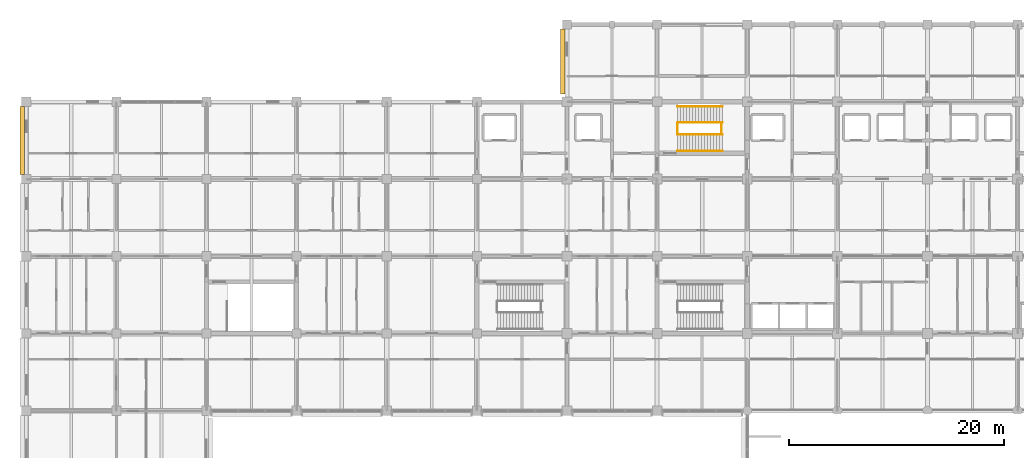
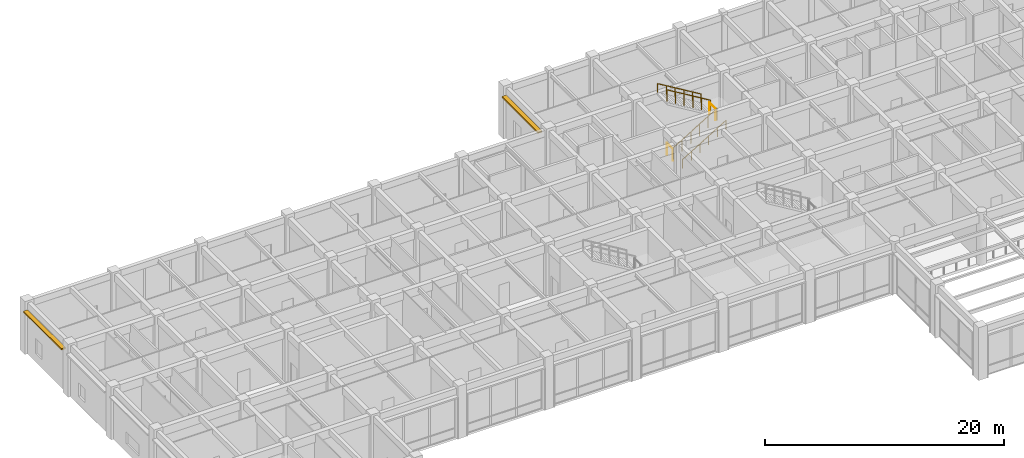
# One storey, part 55 of 58: 6 railings, 2 shading devices.
"""IFC4 building model written with IfcOpenShell, lengths in metres."""

from ifc_helpers import new_model, si_unit, direction, frame, origin, origin_2d, place, context, subcontext, project, spatial, rectangle, circle, extrude, material, type_object, element, save


model = new_model("IFC4")

# Units and contexts
model_context = context("Model", 3, precision=1e-05, world=origin(), true_north=direction((0.0, 1.0)))
body_context = subcontext(model_context, "Body", "Model", "MODEL_VIEW")
ifc_project = project(units=[si_unit("LENGTHUNIT", "METRE"), si_unit("AREAUNIT", "SQUARE_METRE"), si_unit("VOLUMEUNIT", "CUBIC_METRE"), si_unit("PLANEANGLEUNIT", "RADIAN"), si_unit("MASSUNIT", "GRAM", prefix="KILO")], contexts=[model_context])

# Site, building, storey
site_placement = place(None, origin())
site = spatial("IfcSite", under=ifc_project, at=site_placement, CompositionType="ELEMENT")
building_placement = place(site_placement, origin())
building = spatial("IfcBuilding", under=site, at=building_placement, Name="Chengyuan Square Courthouse", CompositionType="ELEMENT")
storey_placement = place(building_placement, frame((0.0, 0.0, 16.199951171875)))
storey = spatial("IfcBuildingStorey", under=building, at=storey_placement, Name="L04", CompositionType="ELEMENT", Elevation=16.199951171875)

# Railings
ifc_material_1 = material(Name="Tempered Glass and Timber Top-Rail Balustrade", Category="wood")
railing_type_1 = type_object("IfcRailingType", Name="RL-02", PredefinedType="BALUSTRADE", material=ifc_material_1)
for number, where, name in (
    (1, (60.68994140625, 105.0, 0.0), "Stair Floor Slot Guard ST-1 L04"),
    (2, (64.7900390625, 105.0, 2.699951171875), "Stair Landing Guard ST-1-L04"),
):
    element("IfcRailing", number, at=place(storey_placement, frame(where)), inside=storey, type_object=railing_type_1, Name=name, PredefinedType="BALUSTRADE", context=body_context, shape_type="SweptSolid", body=[
        extrude(circle(Radius=0.02392578125, at=origin_2d()), frame((0.0, 0.0, 1.17578125), z_axis=(0.0, 1.0, 0.0), x_axis=(-1.0, 0.0, 0.0)), (0.0, 0.0, 1.0), 1.0),
        extrude(circle(Radius=0.02099609375, at=origin_2d()), origin(), (0.0, 0.0, 1.0), 1.15185546875),
        extrude(circle(Radius=0.02099609375, at=origin_2d()), frame((0.0, 1.0, 0.0)), (0.0, 0.0, 1.0), 1.15185546875),
    ])
railing_1_placement = place(storey_placement, frame((60.7099609375, 104.949951171875, 0.168701171875)))
element("IfcRailing", 3, at=railing_1_placement, inside=storey, type_object=railing_type_1, Name="Stair Flight 1 Guard ST-1-L04", PredefinedType="BALUSTRADE", context=body_context, shape_type="SweptSolid", body=[
    extrude(circle(Radius=0.02392578125, at=origin_2d()), frame((0.0, 0.0, 1.17578125), z_axis=(0.856476492594, 0.0, 0.516186030065), x_axis=(0.0, 1.0, 0.0)), (0.0, 0.0, 1.0), 4.90380859375),
    extrude(circle(Radius=0.02099609375, at=origin_2d()), origin(), (0.0, 0.0, 1.0), 1.15185546875),
    extrude(circle(Radius=0.02099609375, at=origin_2d()), frame((0.840087890625, 0.0, 0.50634765625)), (0.0, 0.0, 1.0), 1.15185546875),
    extrude(circle(Radius=0.02099609375, at=origin_2d()), frame((1.679931640625, 0.0, 1.012451171875)), (0.0, 0.0, 1.0), 1.15185546875),
    extrude(circle(Radius=0.02099609375, at=origin_2d()), frame((2.52001953125, 0.0, 1.518798828125)), (0.0, 0.0, 1.0), 1.15185546875),
    extrude(circle(Radius=0.02099609375, at=origin_2d()), frame((3.35986328125, 0.0, 2.02490234375)), (0.0, 0.0, 1.0), 1.15185546875),
    extrude(circle(Radius=0.02099609375, at=origin_2d()), frame((4.199951171875, 0.0, 2.53125)), (0.0, 0.0, 1.0), 1.15185546875),
])
railing_2_placement = place(storey_placement, frame((64.909912109375, 106.050048828125, 2.86865234375)))
element("IfcRailing", 4, at=railing_2_placement, inside=storey, type_object=railing_type_1, Name="Stair Flight 2 Guard ST-1-L04", PredefinedType="BALUSTRADE", context=body_context, shape_type="SweptSolid", body=[
    extrude(circle(Radius=0.02392578125, at=origin_2d()), frame((0.0, 0.0, 1.17578125), z_axis=(-0.856454481726, 0.0, 0.516222549615), x_axis=(0.0, -1.0, 0.0)), (0.0, 0.0, 1.0), 4.90380859375),
    extrude(circle(Radius=0.02099609375, at=origin_2d()), origin(), (0.0, 0.0, 1.0), 1.15185546875),
    extrude(circle(Radius=0.02099609375, at=origin_2d()), frame((-0.840087890625, 0.0, 0.50634765625)), (0.0, 0.0, 1.0), 1.15185546875),
    extrude(circle(Radius=0.02099609375, at=origin_2d()), frame((-1.679931640625, 0.0, 1.0126953125)), (0.0, 0.0, 1.0), 1.15185546875),
    extrude(circle(Radius=0.02099609375, at=origin_2d()), frame((-2.52001953125, 0.0, 1.518798828125)), (0.0, 0.0, 1.0), 1.15185546875),
    extrude(circle(Radius=0.02099609375, at=origin_2d()), frame((-3.35986328125, 0.0, 2.025146484375)), (0.0, 0.0, 1.0), 1.15185546875),
    extrude(circle(Radius=0.02099609375, at=origin_2d()), frame((-4.199951171875, 0.0, 2.531494140625)), (0.0, 0.0, 1.0), 1.15185546875),
])
ifc_material_2 = material(Name="Stainless Steel S30408 Stair Handrail", Category="steel")
railing_type_2 = type_object("IfcRailingType", Name="RL-04", PredefinedType="HANDRAIL", material=ifc_material_2)
railing_3_placement = place(storey_placement, frame((60.7099609375, 103.419921875, 0.168701171875)))
element("IfcRailing", 5, at=railing_3_placement, inside=storey, type_object=railing_type_2, Name="Stair Flight 1 Handrail ST-1-L04", PredefinedType="HANDRAIL", context=body_context, shape_type="SweptSolid", body=[
    extrude(circle(Radius=0.02392578125, at=origin_2d()), frame((0.0, 0.0, 0.8759765625), z_axis=(0.856476492594, 0.0, 0.516186030065), x_axis=(0.0, 1.0, 0.0)), (0.0, 0.0, 1.0), 4.90380859375),
    extrude(circle(Radius=0.02099609375, at=origin_2d()), origin(), (0.0, 0.0, 1.0), 0.851806640625),
    extrude(circle(Radius=0.02099609375, at=origin_2d()), frame((0.840087890625, 0.0, 0.50634765625)), (0.0, 0.0, 1.0), 0.851806640625),
    extrude(circle(Radius=0.02099609375, at=origin_2d()), frame((1.679931640625, 0.0, 1.012451171875)), (0.0, 0.0, 1.0), 0.851806640625),
    extrude(circle(Radius=0.02099609375, at=origin_2d()), frame((2.52001953125, 0.0, 1.518798828125)), (0.0, 0.0, 1.0), 0.851806640625),
    extrude(circle(Radius=0.02099609375, at=origin_2d()), frame((3.35986328125, 0.0, 2.02490234375)), (0.0, 0.0, 1.0), 0.851806640625),
    extrude(circle(Radius=0.02099609375, at=origin_2d()), frame((4.199951171875, 0.0, 2.53125)), (0.0, 0.0, 1.0), 0.851806640625),
])
railing_4_placement = place(storey_placement, frame((64.909912109375, 107.580078125, 2.86865234375)))
element("IfcRailing", 6, at=railing_4_placement, inside=storey, type_object=railing_type_2, Name="Stair Flight 2 Handrail ST-1-L04", PredefinedType="HANDRAIL", context=body_context, shape_type="SweptSolid", body=[
    extrude(circle(Radius=0.02392578125, at=origin_2d()), frame((0.0, 0.0, 0.8759765625), z_axis=(-0.856454481726, 0.0, 0.516222549615), x_axis=(0.0, -1.0, 0.0)), (0.0, 0.0, 1.0), 4.90380859375),
    extrude(circle(Radius=0.02099609375, at=origin_2d()), origin(), (0.0, 0.0, 1.0), 0.851806640625),
    extrude(circle(Radius=0.02099609375, at=origin_2d()), frame((-0.840087890625, 0.0, 0.50634765625)), (0.0, 0.0, 1.0), 0.851806640625),
    extrude(circle(Radius=0.02099609375, at=origin_2d()), frame((-1.679931640625, 0.0, 1.0126953125)), (0.0, 0.0, 1.0), 0.851806640625),
    extrude(circle(Radius=0.02099609375, at=origin_2d()), frame((-2.52001953125, 0.0, 1.518798828125)), (0.0, 0.0, 1.0), 0.851806640625),
    extrude(circle(Radius=0.02099609375, at=origin_2d()), frame((-3.35986328125, 0.0, 2.025146484375)), (0.0, 0.0, 1.0), 0.851806640625),
    extrude(circle(Radius=0.02099609375, at=origin_2d()), frame((-4.199951171875, 0.0, 2.531494140625)), (0.0, 0.0, 1.0), 0.851806640625),
])

# Shading devices
ifc_material_3 = material(Name="Glulam TCt28 Facade Sunshade", Category="wood")
shading_device_type = type_object("IfcShadingDeviceType", Name="SHD-03", PredefinedType="AWNING", material=ifc_material_3)
shading_device_1_placement = place(storey_placement, frame((-0.382080078125, 104.39990234375, 4.35986328125), z_axis=(0.0, 0.0, 1.0), x_axis=(0.0, 1.0, 0.0)))
element("IfcShadingDevice", 7, at=shading_device_1_placement, inside=storey, type_object=shading_device_type, Name="Glulam Facade Sunshade SHD-L04-0425", PredefinedType="AWNING", context=body_context, shape_type="SweptSolid", body=[
    extrude(rectangle(XDim=6.360107421875, YDim=0.39990234375, at=origin_2d()), origin(), (0.0, 0.0, 1.0), 0.139892578125),
])
shading_device_2_placement = place(storey_placement, frame((50.01806640625, 111.762451171875, 4.2802734375), z_axis=(0.0, 0.0, 1.0), x_axis=(0.0, 1.0, 0.0)))
element("IfcShadingDevice", 8, at=shading_device_2_placement, inside=storey, type_object=shading_device_type, Name="Glulam Facade Sunshade SHD-L04-0450", PredefinedType="AWNING", context=body_context, shape_type="SweptSolid", body=[
    extrude(rectangle(XDim=6.034912109375, YDim=0.39990234375, at=origin_2d()), origin(), (0.0, 0.0, 1.0), 0.139892578125),
])

save(model, "model.ifc")
